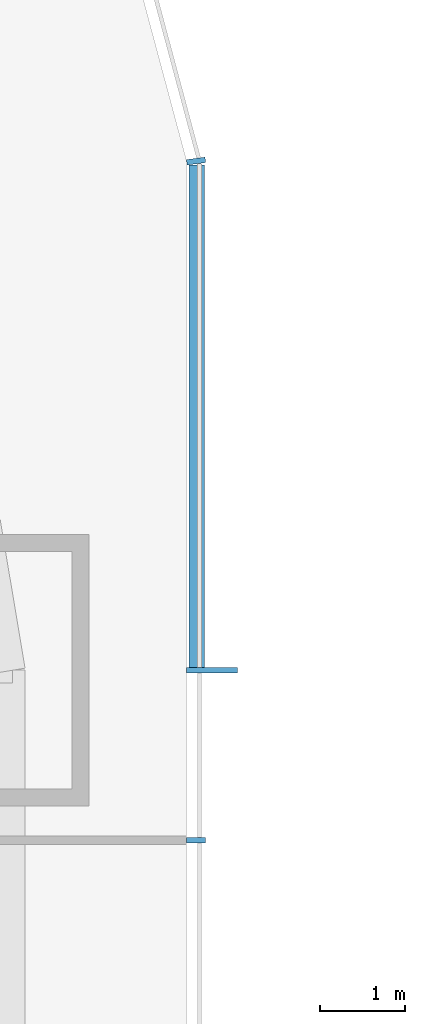
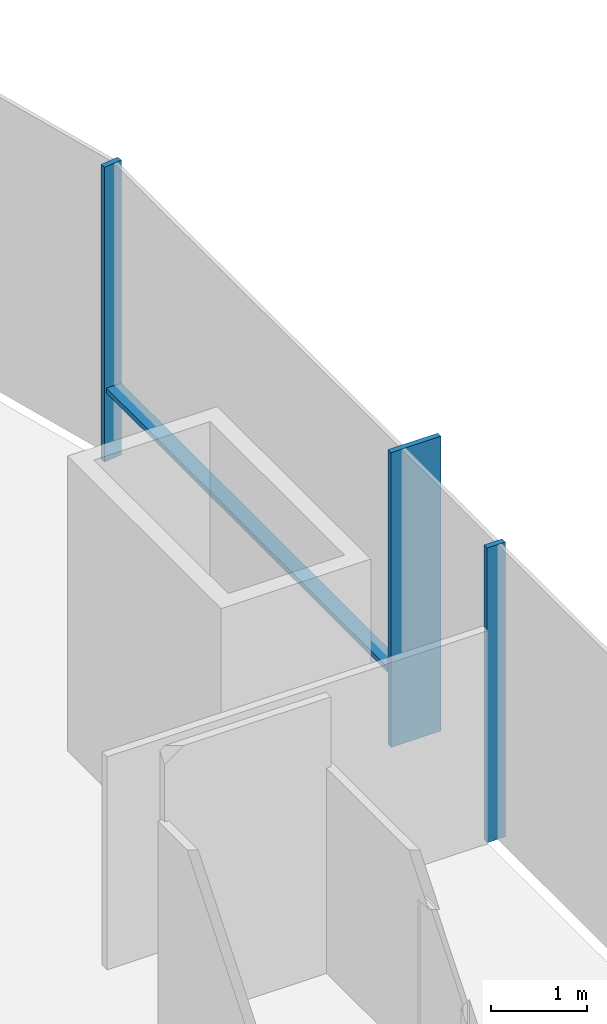
# One storey, part 10 of 20: 4 members, 2 elements without a shape of their own.
"""IFC4 building model written with IfcOpenShell, lengths in metres."""

from ifc_helpers import new_model, si_unit, direction, frame, origin, origin_2d, place, context, subcontext, project, spatial, rectangle, extrude, material, material_profile, profile_set, type_object, element, aggregate, save


model = new_model("IFC4")

# Units and contexts
model_context = context("Model", 3, precision=1e-05, world=origin(), true_north=direction((0.0, 1.0)))
body_context = subcontext(model_context, "Body", "Model", "MODEL_VIEW")
ifc_project = project(units=[si_unit("LENGTHUNIT", "METRE"), si_unit("AREAUNIT", "SQUARE_METRE"), si_unit("VOLUMEUNIT", "CUBIC_METRE"), si_unit("PLANEANGLEUNIT", "RADIAN"), si_unit("MASSUNIT", "GRAM", prefix="KILO")], contexts=[model_context])

# Site, building, storey
site_placement = place(None, origin())
site = spatial("IfcSite", under=ifc_project, at=site_placement, CompositionType="ELEMENT")
building_placement = place(site_placement, origin())
building = spatial("IfcBuilding", under=site, at=building_placement, Name="Khuree Lantern Residences", CompositionType="ELEMENT")
storey_placement = place(building_placement, frame((0.0, 0.0, 24.75)))
storey = spatial("IfcBuildingStorey", under=building, at=storey_placement, Name="L05", CompositionType="ELEMENT", Elevation=24.75)

# Curtain wall, members
ifc_material = material(Name="Bronze anodised aluminium", Category="aluminium")
curtain_wall_type_1 = type_object("IfcCurtainWallType", Name="CW-T1 TOWER FACE CURTAIN WALL", PredefinedType="USERDEFINED", material=ifc_material)
curtain_wall_1_placement = place(storey_placement, origin())
curtain_wall_1 = element("IfcCurtainWall", 1, at=curtain_wall_1_placement, inside=storey, type_object=curtain_wall_type_1, Name="L05 EAST FACE CURTAIN WALL", ObjectType="Stick-built curtain wall", PredefinedType="USERDEFINED")
ifc_material_profile_1 = material_profile(ifc_material, rectangle(XDim=0.06494140625, YDim=0.60009765625, at=origin_2d()), Name="F1 65X600")
ifc_profile_set_1 = profile_set([ifc_material_profile_1], Name="Bronze anodised aluminium")
member_type_1 = type_object("IfcMemberType", Name="F1 BRONZE FIN MULLION TOWER 65X600", PredefinedType="MULLION", material=ifc_profile_set_1)
member_1_placement = place(storey_placement, frame((32.14990234375, 20.0, 0.0), z_axis=(0.0, 0.0, 1.0), x_axis=(0.0, 1.0, 0.0)))
member_1 = element("IfcMember", 2, at=member_1_placement, type_object=member_type_1, Name="L05 EAST FACE FIN MULLION 14", PredefinedType="MULLION", context=body_context, shape_type="SweptSolid", body=[
    extrude(rectangle(XDim=0.06494140625, YDim=0.60009765625, at=origin_2d()), origin(), (0.0, 0.0, 1.0), 3.75),
])
ifc_material_profile_2 = material_profile(ifc_material, rectangle(XDim=0.06494140625, YDim=0.219970703125, at=origin_2d()), Name="M1 65X220")
ifc_profile_set_2 = profile_set([ifc_material_profile_2], Name="Bronze anodised aluminium")
member_type_2 = type_object("IfcMemberType", Name="M1 BRONZE MULLION TOWER 65X220", PredefinedType="MULLION", material=ifc_profile_set_2)
member_2_placement = place(storey_placement, frame((31.9599609375, 18.0, 0.0), z_axis=(0.0, 0.0, 1.0), x_axis=(0.0, 1.0, 0.0)))
member_2 = element("IfcMember", 3, at=member_2_placement, type_object=member_type_2, Name="L05 EAST FACE MULLION 13", PredefinedType="MULLION", context=body_context, shape_type="SweptSolid", body=[
    extrude(rectangle(XDim=0.06494140625, YDim=0.219970703125, at=origin_2d()), origin(), (0.0, 0.0, 1.0), 3.75),
])

# Curtain wall, member
curtain_wall_type_2 = type_object("IfcCurtainWallType", Name="CW-T2 TOWER CORNER CURTAIN WALL", PredefinedType="USERDEFINED", material=ifc_material)
curtain_wall_2_placement = place(storey_placement, origin())
curtain_wall_2 = element("IfcCurtainWall", 4, at=curtain_wall_2_placement, inside=storey, type_object=curtain_wall_type_2, Name="L05 NORTH-EAST CORNER CURTAIN WALL", ObjectType="Faceted corner curtain wall", PredefinedType="USERDEFINED")
member_3_placement = place(storey_placement, frame((31.961669921875, 25.994873046875, 0.0), z_axis=(0.0, 0.0, 1.0), x_axis=(-0.130526257387, 0.991444852794, 0.0)))
member_3 = element("IfcMember", 5, at=member_3_placement, type_object=member_type_2, Name="L05 NORTH-EAST CORNER MULLION 15", PredefinedType="MULLION", context=body_context, shape_type="SweptSolid", body=[
    extrude(rectangle(XDim=0.06494140625, YDim=0.219970703125, at=origin_2d()), origin(), (0.0, 0.0, 1.0), 3.75),
])
aggregate(curtain_wall_2, [member_3])

# Member
ifc_material_profile_3 = material_profile(ifc_material, rectangle(XDim=0.179931640625, YDim=0.06494140625, at=origin_2d()), Name="T1 180X65")
ifc_profile_set_3 = profile_set([ifc_material_profile_3], Name="Bronze anodised aluminium")
member_type_3 = type_object("IfcMemberType", Name="TRANSOM T1 TOWER 180X65", PredefinedType="USERDEFINED", material=ifc_profile_set_3)
member_4_placement = place(storey_placement, frame((31.969970703125, 20.032470703125, 0.89990234375), z_axis=(0.0, 1.0, 0.0), x_axis=(-1.0, 0.0, 0.0)))
member_4 = element("IfcMember", 6, at=member_4_placement, type_object=member_type_3, Name="L05 EAST FACE TRANSOM 14.1", ObjectType="Transom", PredefinedType="USERDEFINED", context=body_context, shape_type="SweptSolid", body=[
    extrude(rectangle(XDim=0.179931640625, YDim=0.06494140625, at=origin_2d()), origin(), (0.0, 0.0, 1.0), 5.9189453125),
])

aggregate(curtain_wall_1, [member_2, member_1, member_4])

save(model, "model.ifc")
